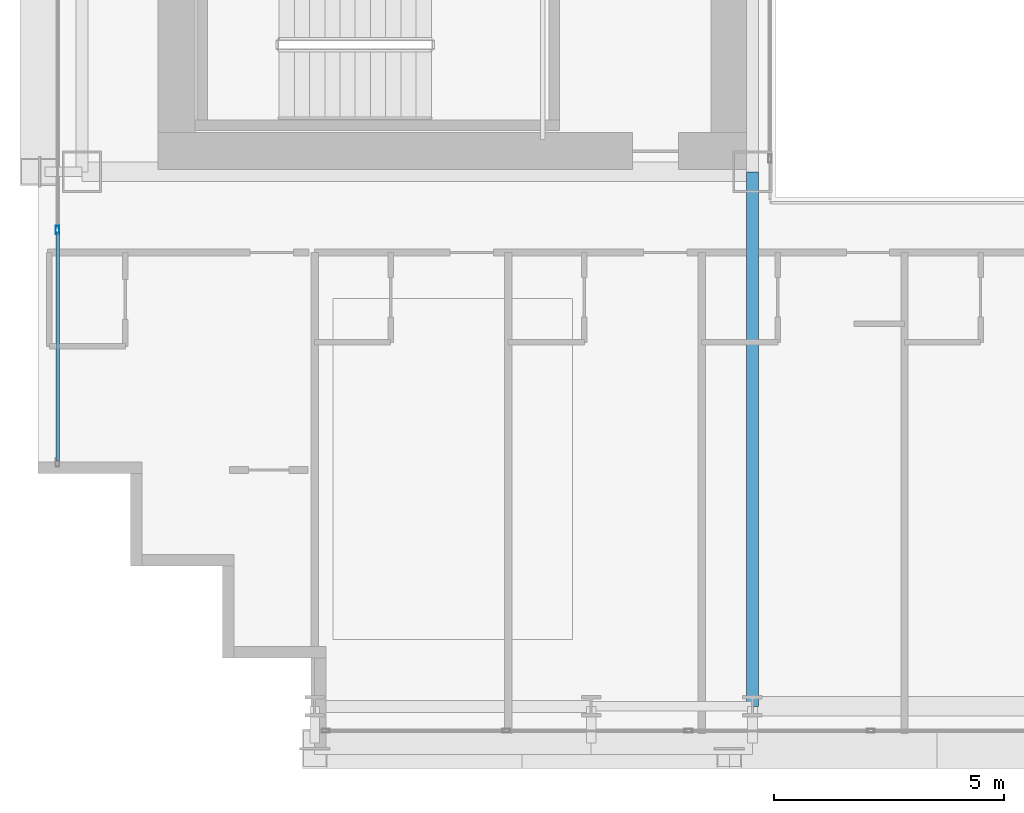
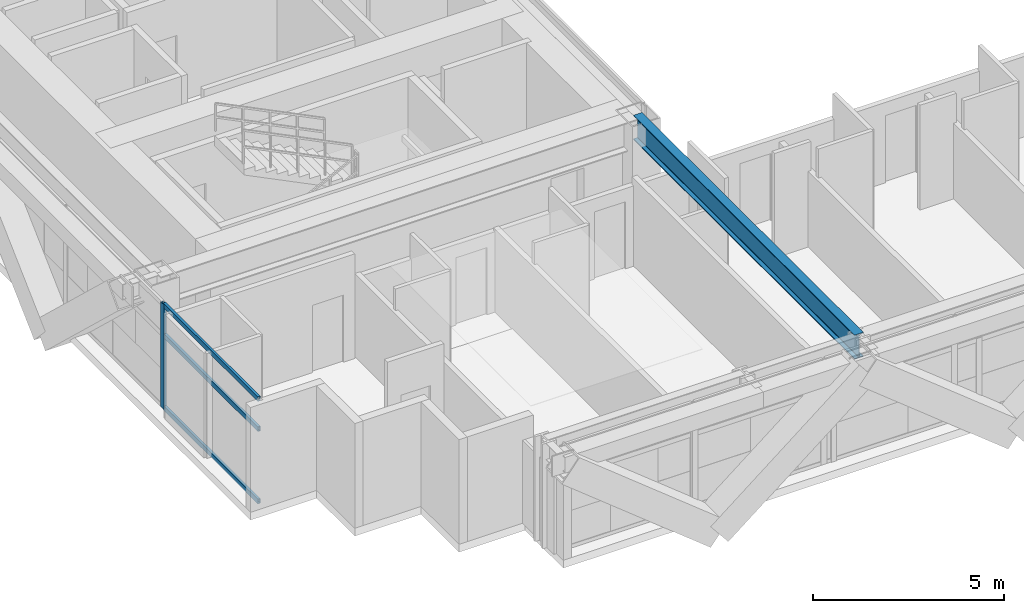
# One storey, part 3 of 41: 4 members, 1 beam, 1 element without a shape of its own.
"""IFC4 building model written with IfcOpenShell, lengths in metres."""

import ifcopenshell
import ifcopenshell.guid

model = None  # the IFC model being written
_history = None  # IfcOwnerHistory: only IFC2X3 demands one
_inside = {}  # id of a spatial element -> (the spatial element, [elements in it])
_under = {}  # id of a project, library or spatial element -> (it, [spatial elements below it])
_declared = {}  # id of a project -> (the project, [libraries it declares])
_typed = {}  # id of a type object -> (the type object, [elements of that type])
_made_of = {}  # id of a material, layer set ... -> (it, [elements and type objects made of it])


def new_model(schema):
    """Start an empty IFC model of exactly this schema.

    Asked for "IFC4X3", IfcOpenShell would pick the latest addendum, in which some entities
    have other attributes; the version numbers below select the first issue.
    IFC2X3 requires an IfcOwnerHistory on every rooted entity: one is made here for all.
    """
    global model, _history
    if schema == "IFC4X3":
        model = ifcopenshell.file(schema_version=(4, 3, 0, 0))
    else:
        model = ifcopenshell.file(schema=schema)
    _inside.clear()
    _under.clear()
    _declared.clear()
    _typed.clear()
    _made_of.clear()
    _history = None
    if model.schema == "IFC2X3":
        org = make("IfcOrganization", Name="unknown")
        user = make(
            "IfcPersonAndOrganization",
            ThePerson=make("IfcPerson", FamilyName="unknown"),
            TheOrganization=org,
        )
        app = make(
            "IfcApplication",
            ApplicationDeveloper=org,
            Version="unknown",
            ApplicationFullName="unknown",
            ApplicationIdentifier="unknown",
        )
        _history = make(
            "IfcOwnerHistory",
            OwningUser=user,
            OwningApplication=app,
            ChangeAction="ADDED",
            CreationDate=0,
        )
    return model


def make(cls, **values):
    """One entity of the class cls with the attributes given. An attribute that is None is left unset."""
    return model.create_entity(
        cls, **{name: value for name, value in values.items() if value is not None}
    )


def rooted(cls, **values):
    """An entity with a GlobalId (a new one), such as an element, a storey or a relation."""
    return make(cls, GlobalId=ifcopenshell.guid.new(), OwnerHistory=_history, **values)


def si_unit(unit_type, name, prefix=None):
    """IfcSIUnit, for example si_unit("LENGTHUNIT", "METRE", prefix="MILLI")."""
    return make("IfcSIUnit", UnitType=unit_type, Prefix=prefix, Name=name)


def assignment(units):
    """IfcUnitAssignment: the units of a project."""
    return None if units is None else make("IfcUnitAssignment", Units=units)


def point(xyz):
    """IfcCartesianPoint."""
    return None if xyz is None else make("IfcCartesianPoint", Coordinates=xyz)


def direction(xyz):
    """IfcDirection."""
    return None if xyz is None else make("IfcDirection", DirectionRatios=xyz)


def frame(location, z_axis=None, x_axis=None):
    """IfcAxis2Placement3D, a coordinate frame: its origin and axes. An axis left out is left unset."""
    return make(
        "IfcAxis2Placement3D",
        Location=point(location),
        Axis=direction(z_axis),
        RefDirection=direction(x_axis),
    )


def frame_2d(location, x_axis=None):
    """IfcAxis2Placement2D, a coordinate frame in the plane: its origin and x axis."""
    return make(
        "IfcAxis2Placement2D", Location=point(location), RefDirection=direction(x_axis)
    )


def origin():
    """The frame at (0, 0, 0) with its axes left unset."""
    return frame((0.0, 0.0, 0.0))


def origin_2d():
    """The frame at (0, 0) in the plane with its x axis left unset."""
    return frame_2d((0.0, 0.0))


def place(relative_to, where):
    """IfcLocalPlacement: puts the frame where relative to a parent placement (None: the world)."""
    return make(
        "IfcLocalPlacement", PlacementRelTo=relative_to, RelativePlacement=where
    )


def context(
    kind, dimensions, precision=None, world=None, true_north=None, identifier=None
):
    """IfcGeometricRepresentationContext, for example the 3D "Model" context."""
    return make(
        "IfcGeometricRepresentationContext",
        ContextIdentifier=identifier,
        ContextType=kind,
        CoordinateSpaceDimension=dimensions,
        Precision=precision,
        WorldCoordinateSystem=world,
        TrueNorth=true_north,
    )


def subcontext(parent, identifier, kind, view, scale=None):
    """IfcGeometricRepresentationSubContext, for example "Body" below "Model"."""
    return make(
        "IfcGeometricRepresentationSubContext",
        ContextIdentifier=identifier,
        ContextType=kind,
        ParentContext=parent,
        TargetScale=scale,
        TargetView=view,
    )


def project(units=None, contexts=None):
    """IfcProject with its units and contexts."""
    return rooted(
        "IfcProject",
        Name="project",
        RepresentationContexts=contexts,
        UnitsInContext=assignment(units),
    )


def spatial(cls, under=None, at=None, **own):
    """A site, building, storey or space (cls), placed at a placement, below another one or the project."""
    s = rooted(cls, ObjectPlacement=at, **own)
    if under is not None:
        _under.setdefault(under.id(), (under, []))[1].append(s)
    return s


def profile(cls, at=None, kind="AREA", **sizes):
    """A parametric profile (cls). Its sizes go by their IFC names, for example OverallWidth=200.0."""
    return make(cls, ProfileType=kind, Position=at, **sizes)


def hollow_rectangle(**sizes):
    """IfcRectangleHollowProfileDef."""
    return profile("IfcRectangleHollowProfileDef", **sizes)


def i_section(**sizes):
    """IfcIShapeProfileDef."""
    return profile("IfcIShapeProfileDef", **sizes)


def extrude(swept, where, along, depth):
    """IfcExtrudedAreaSolid: the profile swept, set in the frame where, extruded along a direction by depth."""
    return make(
        "IfcExtrudedAreaSolid",
        SweptArea=swept,
        Position=where,
        ExtrudedDirection=direction(along),
        Depth=depth,
    )


def shape(context_of_items, identifier, shape_type, items):
    """IfcShapeRepresentation: the items that make up one representation, for example the "Body"."""
    return make(
        "IfcShapeRepresentation",
        ContextOfItems=context_of_items,
        RepresentationIdentifier=identifier,
        RepresentationType=shape_type,
        Items=items,
    )


def source(mapping_origin, context_of_items, identifier, shape_type, items):
    """IfcRepresentationMap: a shape defined once, which mapped items show again and again."""
    return make(
        "IfcRepresentationMap",
        MappingOrigin=mapping_origin,
        MappedRepresentation=shape(context_of_items, identifier, shape_type, items),
    )


def transform(
    local_origin,
    x_axis=None,
    y_axis=None,
    z_axis=None,
    scale=None,
    scale2=None,
    scale3=None,
    uniform=True,
):
    """IfcCartesianTransformationOperator3D, or its non-uniform kind. x_axis, y_axis, z_axis: its Axis1, 2, 3."""
    if uniform:
        return make(
            "IfcCartesianTransformationOperator3D",
            Axis1=direction(x_axis),
            Axis2=direction(y_axis),
            LocalOrigin=point(local_origin),
            Scale=scale,
            Axis3=direction(z_axis),
        )
    return make(
        "IfcCartesianTransformationOperator3DnonUniform",
        Axis1=direction(x_axis),
        Axis2=direction(y_axis),
        LocalOrigin=point(local_origin),
        Scale=scale,
        Axis3=direction(z_axis),
        Scale2=scale2,
        Scale3=scale3,
    )


def mapped(mapping_source, mapping_target):
    """IfcMappedItem: shows the shape of a source again, moved by a transform."""
    return make(
        "IfcMappedItem", MappingSource=mapping_source, MappingTarget=mapping_target
    )


def material(Name=None, Category=None):
    """IfcMaterial."""
    return make("IfcMaterial", Name=Name, Category=Category)


def layer(
    of_material, thickness, ventilated=None, Name=None, Category=None, Priority=None
):
    """IfcMaterialLayer: one layer of a wall or slab, of a material (None: an air gap)."""
    return make(
        "IfcMaterialLayer",
        Material=of_material,
        LayerThickness=thickness,
        IsVentilated=ventilated,
        Name=Name,
        Category=Category,
        Priority=Priority,
    )


def layer_set(layers, Name=None):
    """IfcMaterialLayerSet."""
    return make("IfcMaterialLayerSet", MaterialLayers=layers, LayerSetName=Name)


def material_profile(
    of_material, cross_section, Name=None, Category=None, Priority=None
):
    """IfcMaterialProfile: a cross section and its material."""
    return make(
        "IfcMaterialProfile",
        Name=Name,
        Material=of_material,
        Profile=cross_section,
        Priority=Priority,
        Category=Category,
    )


def profile_set(profiles, Name=None, composite=None):
    """IfcMaterialProfileSet."""
    return make(
        "IfcMaterialProfileSet",
        Name=Name,
        MaterialProfiles=profiles,
        CompositeProfile=composite,
    )


def made_of(thing, what):
    """Note that an element or type object is made of a material, layer set ...; save() writes the relation."""
    if what is not None:
        _made_of.setdefault(what.id(), (what, []))[1].append(thing)
    return thing


def type_object(cls, material=None, **own):
    """A type object (cls), such as IfcWallType, which elements share."""
    return made_of(rooted(cls, **own), material)


def element(
    cls,
    number,
    at=None,
    inside=None,
    cuts=None,
    type_object=None,
    material=None,
    context=None,
    identifier="Body",
    shape_type=None,
    held_by="IfcProductDefinitionShape",
    body=None,
    shapes=None,
    **own,
):
    """One element of the class cls, such as IfcWall. Its Tag is "e" and its number.

    at: its placement. inside: the storey or other place that contains it. cuts: it is an
    opening in that element (IfcRelVoidsElement). A single representation is given by context,
    identifier, shape_type and body (its items); several are given by shapes. held_by: the class
    of the entity that holds the representations. save() writes the other relations.
    """
    e = rooted(cls, Tag="e%d" % number, ObjectPlacement=at, **own)
    if body is not None:
        shapes = [shape(context, identifier, shape_type, body)]
    if shapes is not None:
        e.Representation = make(held_by, Representations=shapes)
    if inside is not None:
        _inside.setdefault(inside.id(), (inside, []))[1].append(e)
    if cuts is not None:
        rooted(
            "IfcRelVoidsElement", RelatingBuildingElement=cuts, RelatedOpeningElement=e
        )
    if type_object is not None:
        _typed.setdefault(type_object.id(), (type_object, []))[1].append(e)
    return made_of(e, material)


def aggregate(whole, parts):
    """IfcRelAggregates: a whole, such as a stair, and the parts it consists of."""
    return rooted("IfcRelAggregates", RelatingObject=whole, RelatedObjects=parts)


def save(model, path):
    """Write the relations noted so far, then the file.

    IfcRelAggregates (storeys below a building ...), IfcRelContainedInSpatialStructure (elements
    in a storey), IfcRelDefinesByType, IfcRelAssociatesMaterial and IfcRelDeclares: one each for
    every whole, place, type object, material and project.
    """
    for whole, parts in _under.values():
        aggregate(whole, parts)
    for where, things in _inside.values():
        rooted(
            "IfcRelContainedInSpatialStructure",
            RelatedElements=things,
            RelatingStructure=where,
        )
    for kind, things in _typed.values():
        rooted("IfcRelDefinesByType", RelatedObjects=things, RelatingType=kind)
    for what, things in _made_of.values():
        rooted("IfcRelAssociatesMaterial", RelatedObjects=things, RelatingMaterial=what)
    for by, libraries in _declared.values():
        rooted("IfcRelDeclares", RelatingContext=by, RelatedDefinitions=libraries)
    model.write(path)


model = new_model("IFC4")

# Units and contexts
model_context = context("Model", 3, precision=1e-05, world=origin(), true_north=direction((0.0, 1.0)))
body_context = subcontext(model_context, "Body", "Model", "MODEL_VIEW")
ifc_project = project(units=[si_unit("LENGTHUNIT", "METRE"), si_unit("AREAUNIT", "SQUARE_METRE"), si_unit("VOLUMEUNIT", "CUBIC_METRE"), si_unit("PLANEANGLEUNIT", "RADIAN"), si_unit("MASSUNIT", "GRAM", prefix="KILO")], contexts=[model_context])

# Site, building, storey
site_placement = place(None, origin())
site = spatial("IfcSite", under=ifc_project, at=site_placement, CompositionType="ELEMENT")
building_placement = place(site_placement, origin())
building = spatial("IfcBuilding", under=site, at=building_placement, Name="Ocotamira Hotel", CompositionType="ELEMENT")
storey_placement = place(building_placement, frame((0.0, 0.0, 38.39990234375)))
storey = spatial("IfcBuildingStorey", under=building, at=storey_placement, Name="L08", CompositionType="ELEMENT", Elevation=38.39990234375)

# Beam
ifc_material_1 = material(Name="Steel ASTM A992 Grade 50", Category="steel")
ifc_material_profile_1 = material_profile(ifc_material_1, i_section(OverallWidth=0.26611328125, OverallDepth=0.779052734375, WebThickness=0.0166015625, FlangeThickness=0.030029296875, FilletRadius=0.01806640625, at=origin_2d()), Name="W30X148")
ifc_profile_set_1 = profile_set([ifc_material_profile_1], Name="Steel ASTM A992 Grade 50")
beam_type = type_object("IfcBeamType", Name="BM-GIRD-W30X148", PredefinedType="BEAM", material=ifc_profile_set_1)
shared_shape_1 = source(origin(), body_context, "Body", "SweptSolid", [
    extrude(i_section(OverallWidth=0.26611328125, OverallDepth=0.779052734375, WebThickness=0.0166015625, FlangeThickness=0.030029296875, FilletRadius=0.01806640625, at=origin_2d()), origin(), (0.0, 0.0, 1.0), 11.60009765625),
])
beam_placement = place(storey_placement, frame((23.5, 2.949951171875, 2.960693359375), z_axis=(0.0, 1.0, 0.0), x_axis=(-1.0, 0.0, 0.0)))
element("IfcBeam", 1, at=beam_placement, inside=storey, type_object=beam_type, Name="L08 Beam X23.5 Y2.95-14.55", PredefinedType="BEAM", context=body_context, shape_type="MappedRepresentation", body=[
    mapped(shared_shape_1, transform((0.0, 0.0, 0.0), scale=1.0)),
])

# Curtain wall, members
ifc_material_2 = material(Name="Anodised pale-metal aluminium and solar glass", Category="aluminium")
ifc_layer = layer(ifc_material_2, 0.179931640625)
ifc_layer_set = layer_set([ifc_layer], Name="Anodised pale-metal aluminium and solar glass")
curtain_wall_type = type_object("IfcCurtainWallType", Name="CW-SYS2-Z1", PredefinedType="NOTDEFINED", material=ifc_layer_set)
curtain_wall_placement = place(storey_placement, origin())
curtain_wall = element("IfcCurtainWall", 2, at=curtain_wall_placement, inside=storey, type_object=curtain_wall_type, Name="L08 Curtain Wall CW-2 CW-L08-W", PredefinedType="NOTDEFINED")
ifc_material_3 = material(Name="Anodised pale-metal aluminium 6063-T6", Category="aluminium")
ifc_material_profile_2 = material_profile(ifc_material_3, hollow_rectangle(XDim=0.074951171875, YDim=0.14990234375, WallThickness=0.006103515625, at=origin_2d()), Name="HSS150X75X6")
ifc_profile_set_2 = profile_set([ifc_material_profile_2], Name="Anodised pale-metal aluminium 6063-T6")
member_type_1 = type_object("IfcMemberType", Name="CWT-150X75", PredefinedType="USERDEFINED", material=ifc_profile_set_2)
shared_shape_2 = source(origin(), body_context, "Body", "SweptSolid", [
    extrude(hollow_rectangle(XDim=0.074951171875, YDim=0.14990234375, WallThickness=0.006103515625, at=origin_2d()), origin(), (0.0, 0.0, 1.0), 4.965576171875),
])
member_1_placement = place(storey_placement, frame((8.419921875, 8.280029296875, 0.03759765625), z_axis=(0.0, 1.0, 0.0), x_axis=(-1.0, 0.0, 0.0)))
member_1 = element("IfcMember", 3, at=member_1_placement, type_object=member_type_1, Name="CW-2 transom 1.1", ObjectType="TRANSOM", PredefinedType="USERDEFINED", context=body_context, shape_type="MappedRepresentation", body=[
    mapped(shared_shape_2, transform((0.0, 0.0, 0.0), scale=1.0)),
])
member_2_placement = place(storey_placement, frame((8.419921875, 8.280029296875, 2.35009765625), z_axis=(0.0, 1.0, 0.0), x_axis=(-1.0, 0.0, 0.0)))
member_2 = element("IfcMember", 4, at=member_2_placement, type_object=member_type_1, Name="CW-2 transom 1.2", ObjectType="TRANSOM", PredefinedType="USERDEFINED", context=body_context, shape_type="MappedRepresentation", body=[
    mapped(shared_shape_2, transform((0.0, 0.0, 0.0), scale=1.0)),
])
member_3_placement = place(storey_placement, frame((8.419921875, 8.280029296875, 3.3125), z_axis=(0.0, 1.0, 0.0), x_axis=(-1.0, 0.0, 0.0)))
member_3 = element("IfcMember", 5, at=member_3_placement, type_object=member_type_1, Name="CW-2 transom 1.3", ObjectType="TRANSOM", PredefinedType="USERDEFINED", context=body_context, shape_type="MappedRepresentation", body=[
    mapped(shared_shape_2, transform((0.0, 0.0, 0.0), scale=1.0)),
])
ifc_material_profile_3 = material_profile(ifc_material_3, hollow_rectangle(XDim=0.080078125, YDim=0.179931640625, WallThickness=0.006103515625, at=origin_2d()), Name="HSS180X80X6")
ifc_profile_set_3 = profile_set([ifc_material_profile_3], Name="Anodised pale-metal aluminium 6063-T6")
member_type_2 = type_object("IfcMemberType", Name="CWM-180X75", PredefinedType="MULLION", material=ifc_profile_set_3)
shared_shape_3 = source(origin(), body_context, "Body", "SweptSolid", [
    extrude(hollow_rectangle(XDim=0.080078125, YDim=0.179931640625, WallThickness=0.006103515625, at=origin_2d()), origin(), (0.0, 0.0, 1.0), 3.35009765625),
])
member_4_placement = place(storey_placement, frame((8.419921875, 13.28564453125, 0.0), z_axis=(0.0, 0.0, 1.0), x_axis=(-1.0, 0.0, 0.0)))
member_4 = element("IfcMember", 6, at=member_4_placement, type_object=member_type_2, Name="CW-2 mullion 2", PredefinedType="MULLION", context=body_context, shape_type="MappedRepresentation", body=[
    mapped(shared_shape_3, transform((0.0, 0.0, 0.0), scale=1.0)),
])
aggregate(curtain_wall, [member_4, member_1, member_2, member_3])

save(model, "model.ifc")
